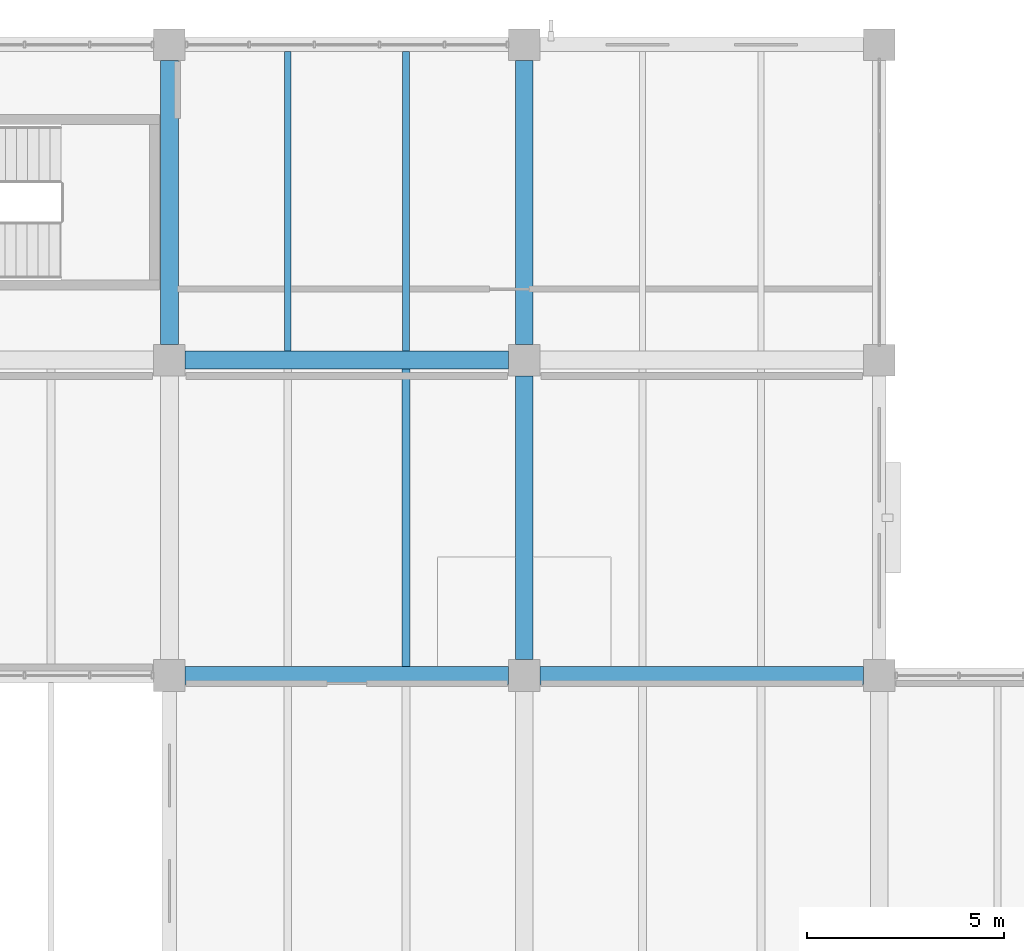
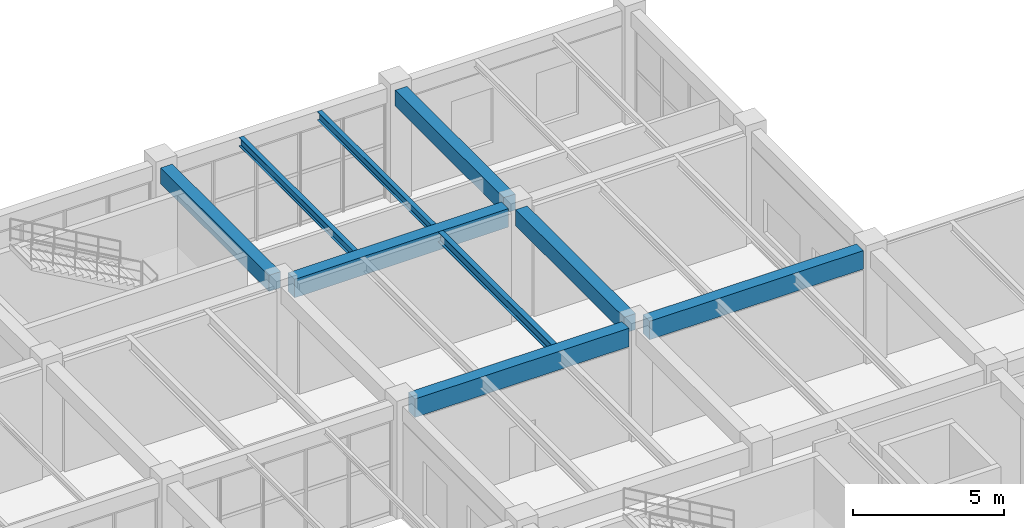
# One storey, part 92 of 178: 9 beams.
"""IFC4 building model written with IfcOpenShell, lengths in metres."""

from ifc_helpers import new_model, si_unit, derived_unit, direction, frame, origin, origin_2d, place, context, subcontext, project, spatial, rectangle, i_section, extrude, material, material_profile, profile_set, type_object, element, save


model = new_model("IFC4")

# Units and contexts
model_context = context("Model", 3, precision=1e-05, world=origin(), true_north=direction((0.0, 1.0)))
body_context = subcontext(model_context, "Body", "Model", "MODEL_VIEW")
ifc_project = project(units=[si_unit("LENGTHUNIT", "METRE"), si_unit("AREAUNIT", "SQUARE_METRE"), si_unit("VOLUMEUNIT", "CUBIC_METRE"), si_unit("PLANEANGLEUNIT", "RADIAN"), si_unit("MASSUNIT", "GRAM", prefix="KILO"), derived_unit("THERMALTRANSMITTANCEUNIT", [(si_unit("MASSUNIT", "GRAM", prefix="KILO"), 1), (si_unit("TIMEUNIT", "SECOND"), -3), (si_unit("THERMODYNAMICTEMPERATUREUNIT", "KELVIN"), -1)])], contexts=[model_context])

# Site, building, storey
site_placement = place(None, origin())
site = spatial("IfcSite", under=ifc_project, at=site_placement, CompositionType="ELEMENT")
building_placement = place(site_placement, origin())
building = spatial("IfcBuilding", under=site, at=building_placement, Name="Zhenchuan Archway Interchange", CompositionType="ELEMENT")
storey_placement = place(building_placement, frame((0.0, 0.0, 5.39990234375)))
storey = spatial("IfcBuildingStorey", under=building, at=storey_placement, Name="L01", CompositionType="ELEMENT", Elevation=5.39990234375)

# Beams
ifc_material_1 = material(Name="Concrete C40", Category="concrete")
ifc_material_profile_1 = material_profile(ifc_material_1, rectangle(XDim=0.449951171875, YDim=0.64990234375, at=origin_2d()), Name="RC 450x650")
ifc_profile_set_1 = profile_set([ifc_material_profile_1], Name="Concrete C40")
beam_type_1 = type_object("IfcBeamType", Name="BM_RC_450x650", PredefinedType="BEAM", material=ifc_profile_set_1)
for number, where, z_axis, x_axis, name in (
    (1, (36.0, 104.39990234375, 4.18505859375), (0.0, 1.0, 0.0), (-1.0, 0.0, 0.0), "Beam 5:O-P (L01)"),
    (2, (45.0, 96.39990234375, 4.18505859375), (0.0, 1.0, 0.0), (-1.0, 0.0, 0.0), "Beam 6:N-O (L01)"),
    (3, (45.0, 104.39990234375, 4.18505859375), (0.0, 1.0, 0.0), (-1.0, 0.0, 0.0), "Beam 6:O-P (L01)"),
):
    element("IfcBeam", number, at=place(storey_placement, frame(where, z_axis=z_axis, x_axis=x_axis)), inside=storey, type_object=beam_type_1, Name=name, PredefinedType="BEAM", context=body_context, shape_type="SweptSolid", body=[
        extrude(rectangle(XDim=0.449951171875, YDim=0.64990234375, at=origin_2d()), origin(), (0.0, 0.0, 1.0), 7.2001953125),
    ])
ifc_material_profile_2 = material_profile(ifc_material_1, rectangle(XDim=0.449951171875, YDim=0.75, at=origin_2d()), Name="RC 450x750")
ifc_profile_set_2 = profile_set([ifc_material_profile_2], Name="Concrete C40")
beam_type_2 = type_object("IfcBeamType", Name="BM_RC_450x750", PredefinedType="BEAM", material=ifc_profile_set_2)
for number, where, z_axis, x_axis, name in (
    (4, (36.39990234375, 96.0, 4.135009765625), (1.0, 0.0, 0.0), (0.0, 1.0, 0.0), "Beam N:5-6 (L01)"),
    (5, (45.39990234375, 96.0, 4.135009765625), (1.0, 0.0, 0.0), (0.0, 1.0, 0.0), "Beam N:6-7 (L01)"),
    (6, (36.39990234375, 104.0, 4.135009765625), (1.0, 0.0, 0.0), (0.0, 1.0, 0.0), "Beam O:5-6 (L01)"),
):
    element("IfcBeam", number, at=place(storey_placement, frame(where, z_axis=z_axis, x_axis=x_axis)), inside=storey, type_object=beam_type_2, Name=name, PredefinedType="BEAM", context=body_context, shape_type="SweptSolid", body=[
        extrude(rectangle(XDim=0.449951171875, YDim=0.75, at=origin_2d()), origin(), (0.0, 0.0, 1.0), 8.2001953125),
    ])
ifc_material_2 = material(Name="Steel Q355", Category="steel")
ifc_material_profile_3 = material_profile(ifc_material_2, i_section(OverallWidth=0.175048828125, OverallDepth=0.35009765625, WebThickness=0.007080078125, FlangeThickness=0.010986328125, FilletRadius=0.013916015625, at=origin_2d()), Name="HN 350x175")
ifc_profile_set_3 = profile_set([ifc_material_profile_3], Name="Steel Q355")
beam_type_3 = type_object("IfcBeamType", Name="JST_STL_HN350", PredefinedType="JOIST", material=ifc_profile_set_3)
for number, where, z_axis, x_axis, name in (
    (7, (39.0, 104.22509765625, 4.335205078125), (0.0, 1.0, 0.0), (-1.0, 0.0, 0.0), "Secondary joist 5-6/O-P #1 (L01)"),
    (8, (42.0, 104.22509765625, 4.335205078125), (0.0, 1.0, 0.0), (-1.0, 0.0, 0.0), "Secondary joist 5-6/O-P #2 (L01)"),
):
    element("IfcBeam", number, at=place(storey_placement, frame(where, z_axis=z_axis, x_axis=x_axis)), inside=storey, type_object=beam_type_3, Name=name, PredefinedType="JOIST", context=body_context, shape_type="SweptSolid", body=[
        extrude(i_section(OverallWidth=0.175048828125, OverallDepth=0.35009765625, WebThickness=0.007080078125, FlangeThickness=0.010986328125, FilletRadius=0.013916015625, at=origin_2d()), origin(), (0.0, 0.0, 1.0), 7.599853515625),
    ])
ifc_material_profile_4 = material_profile(ifc_material_2, i_section(OverallWidth=0.199951171875, OverallDepth=0.39990234375, WebThickness=0.008056640625, FlangeThickness=0.012939453125, FilletRadius=0.01611328125, at=origin_2d()), Name="HN 400x200")
ifc_profile_set_4 = profile_set([ifc_material_profile_4], Name="Steel Q355")
beam_type_4 = type_object("IfcBeamType", Name="JST_STL_HN400", PredefinedType="JOIST", material=ifc_profile_set_4)
beam_placement = place(storey_placement, frame((42.0, 96.22509765625, 4.31005859375), z_axis=(0.0, 1.0, 0.0), x_axis=(-1.0, 0.0, 0.0)))
element("IfcBeam", 9, at=beam_placement, inside=storey, type_object=beam_type_4, Name="Secondary joist 5-6/N-O #2 (L01)", PredefinedType="JOIST", context=body_context, shape_type="SweptSolid", body=[
    extrude(i_section(OverallWidth=0.199951171875, OverallDepth=0.39990234375, WebThickness=0.008056640625, FlangeThickness=0.012939453125, FilletRadius=0.01611328125, at=origin_2d()), origin(), (0.0, 0.0, 1.0), 7.5498046875),
])

save(model, "model.ifc")
